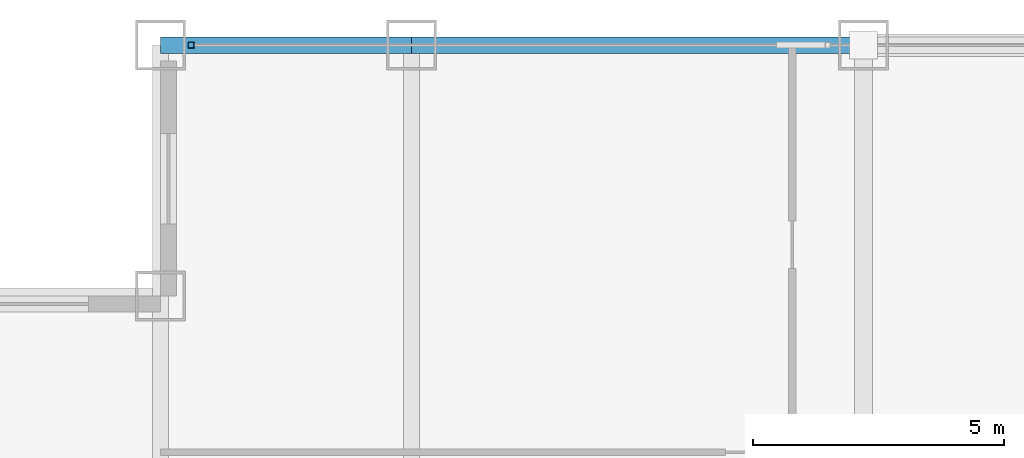
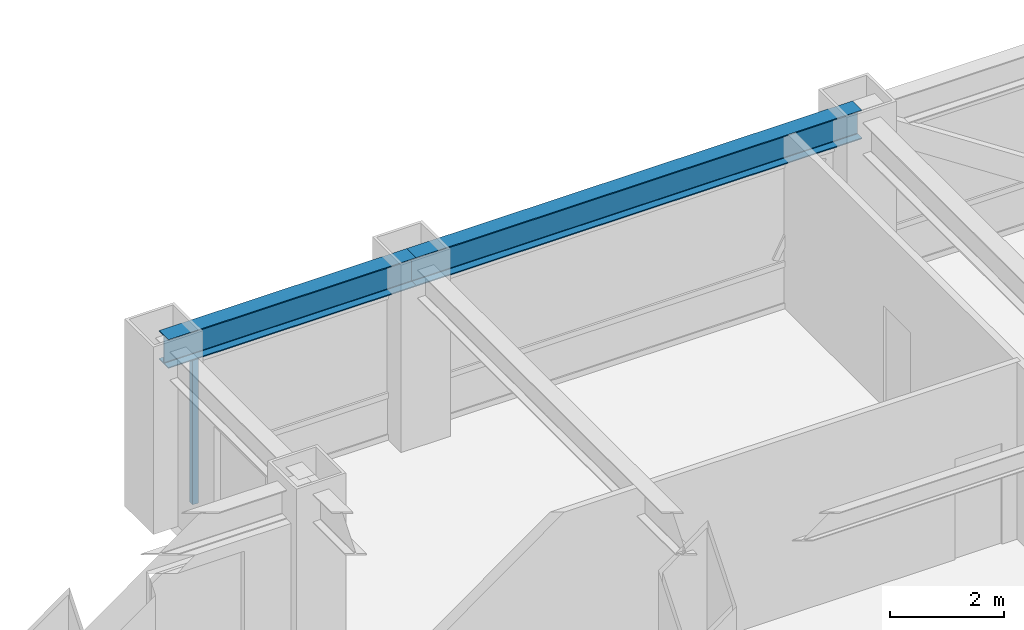
# One storey, part 14 of 25: 2 beams, 1 member, 1 element without a shape of its own.
"""IFC4 building model written with IfcOpenShell, lengths in metres."""

import ifcopenshell
import ifcopenshell.guid

model = None  # the IFC model being written
_history = None  # IfcOwnerHistory: only IFC2X3 demands one
_inside = {}  # id of a spatial element -> (the spatial element, [elements in it])
_under = {}  # id of a project, library or spatial element -> (it, [spatial elements below it])
_declared = {}  # id of a project -> (the project, [libraries it declares])
_typed = {}  # id of a type object -> (the type object, [elements of that type])
_made_of = {}  # id of a material, layer set ... -> (it, [elements and type objects made of it])


def new_model(schema):
    """Start an empty IFC model of exactly this schema.

    Asked for "IFC4X3", IfcOpenShell would pick the latest addendum, in which some entities
    have other attributes; the version numbers below select the first issue.
    IFC2X3 requires an IfcOwnerHistory on every rooted entity: one is made here for all.
    """
    global model, _history
    if schema == "IFC4X3":
        model = ifcopenshell.file(schema_version=(4, 3, 0, 0))
    else:
        model = ifcopenshell.file(schema=schema)
    _inside.clear()
    _under.clear()
    _declared.clear()
    _typed.clear()
    _made_of.clear()
    _history = None
    if model.schema == "IFC2X3":
        org = make("IfcOrganization", Name="unknown")
        user = make(
            "IfcPersonAndOrganization",
            ThePerson=make("IfcPerson", FamilyName="unknown"),
            TheOrganization=org,
        )
        app = make(
            "IfcApplication",
            ApplicationDeveloper=org,
            Version="unknown",
            ApplicationFullName="unknown",
            ApplicationIdentifier="unknown",
        )
        _history = make(
            "IfcOwnerHistory",
            OwningUser=user,
            OwningApplication=app,
            ChangeAction="ADDED",
            CreationDate=0,
        )
    return model


def make(cls, **values):
    """One entity of the class cls with the attributes given. An attribute that is None is left unset."""
    return model.create_entity(
        cls, **{name: value for name, value in values.items() if value is not None}
    )


def rooted(cls, **values):
    """An entity with a GlobalId (a new one), such as an element, a storey or a relation."""
    return make(cls, GlobalId=ifcopenshell.guid.new(), OwnerHistory=_history, **values)


def si_unit(unit_type, name, prefix=None):
    """IfcSIUnit, for example si_unit("LENGTHUNIT", "METRE", prefix="MILLI")."""
    return make("IfcSIUnit", UnitType=unit_type, Prefix=prefix, Name=name)


def assignment(units):
    """IfcUnitAssignment: the units of a project."""
    return None if units is None else make("IfcUnitAssignment", Units=units)


def point(xyz):
    """IfcCartesianPoint."""
    return None if xyz is None else make("IfcCartesianPoint", Coordinates=xyz)


def direction(xyz):
    """IfcDirection."""
    return None if xyz is None else make("IfcDirection", DirectionRatios=xyz)


def frame(location, z_axis=None, x_axis=None):
    """IfcAxis2Placement3D, a coordinate frame: its origin and axes. An axis left out is left unset."""
    return make(
        "IfcAxis2Placement3D",
        Location=point(location),
        Axis=direction(z_axis),
        RefDirection=direction(x_axis),
    )


def frame_2d(location, x_axis=None):
    """IfcAxis2Placement2D, a coordinate frame in the plane: its origin and x axis."""
    return make(
        "IfcAxis2Placement2D", Location=point(location), RefDirection=direction(x_axis)
    )


def origin():
    """The frame at (0, 0, 0) with its axes left unset."""
    return frame((0.0, 0.0, 0.0))


def origin_2d():
    """The frame at (0, 0) in the plane with its x axis left unset."""
    return frame_2d((0.0, 0.0))


def place(relative_to, where):
    """IfcLocalPlacement: puts the frame where relative to a parent placement (None: the world)."""
    return make(
        "IfcLocalPlacement", PlacementRelTo=relative_to, RelativePlacement=where
    )


def context(
    kind, dimensions, precision=None, world=None, true_north=None, identifier=None
):
    """IfcGeometricRepresentationContext, for example the 3D "Model" context."""
    return make(
        "IfcGeometricRepresentationContext",
        ContextIdentifier=identifier,
        ContextType=kind,
        CoordinateSpaceDimension=dimensions,
        Precision=precision,
        WorldCoordinateSystem=world,
        TrueNorth=true_north,
    )


def subcontext(parent, identifier, kind, view, scale=None):
    """IfcGeometricRepresentationSubContext, for example "Body" below "Model"."""
    return make(
        "IfcGeometricRepresentationSubContext",
        ContextIdentifier=identifier,
        ContextType=kind,
        ParentContext=parent,
        TargetScale=scale,
        TargetView=view,
    )


def project(units=None, contexts=None):
    """IfcProject with its units and contexts."""
    return rooted(
        "IfcProject",
        Name="project",
        RepresentationContexts=contexts,
        UnitsInContext=assignment(units),
    )


def spatial(cls, under=None, at=None, **own):
    """A site, building, storey or space (cls), placed at a placement, below another one or the project."""
    s = rooted(cls, ObjectPlacement=at, **own)
    if under is not None:
        _under.setdefault(under.id(), (under, []))[1].append(s)
    return s


def profile(cls, at=None, kind="AREA", **sizes):
    """A parametric profile (cls). Its sizes go by their IFC names, for example OverallWidth=200.0."""
    return make(cls, ProfileType=kind, Position=at, **sizes)


def hollow_rectangle(**sizes):
    """IfcRectangleHollowProfileDef."""
    return profile("IfcRectangleHollowProfileDef", **sizes)


def i_section(**sizes):
    """IfcIShapeProfileDef."""
    return profile("IfcIShapeProfileDef", **sizes)


def extrude(swept, where, along, depth):
    """IfcExtrudedAreaSolid: the profile swept, set in the frame where, extruded along a direction by depth."""
    return make(
        "IfcExtrudedAreaSolid",
        SweptArea=swept,
        Position=where,
        ExtrudedDirection=direction(along),
        Depth=depth,
    )


def shape(context_of_items, identifier, shape_type, items):
    """IfcShapeRepresentation: the items that make up one representation, for example the "Body"."""
    return make(
        "IfcShapeRepresentation",
        ContextOfItems=context_of_items,
        RepresentationIdentifier=identifier,
        RepresentationType=shape_type,
        Items=items,
    )


def source(mapping_origin, context_of_items, identifier, shape_type, items):
    """IfcRepresentationMap: a shape defined once, which mapped items show again and again."""
    return make(
        "IfcRepresentationMap",
        MappingOrigin=mapping_origin,
        MappedRepresentation=shape(context_of_items, identifier, shape_type, items),
    )


def transform(
    local_origin,
    x_axis=None,
    y_axis=None,
    z_axis=None,
    scale=None,
    scale2=None,
    scale3=None,
    uniform=True,
):
    """IfcCartesianTransformationOperator3D, or its non-uniform kind. x_axis, y_axis, z_axis: its Axis1, 2, 3."""
    if uniform:
        return make(
            "IfcCartesianTransformationOperator3D",
            Axis1=direction(x_axis),
            Axis2=direction(y_axis),
            LocalOrigin=point(local_origin),
            Scale=scale,
            Axis3=direction(z_axis),
        )
    return make(
        "IfcCartesianTransformationOperator3DnonUniform",
        Axis1=direction(x_axis),
        Axis2=direction(y_axis),
        LocalOrigin=point(local_origin),
        Scale=scale,
        Axis3=direction(z_axis),
        Scale2=scale2,
        Scale3=scale3,
    )


def mapped(mapping_source, mapping_target):
    """IfcMappedItem: shows the shape of a source again, moved by a transform."""
    return make(
        "IfcMappedItem", MappingSource=mapping_source, MappingTarget=mapping_target
    )


def material(Name=None, Category=None):
    """IfcMaterial."""
    return make("IfcMaterial", Name=Name, Category=Category)


def material_profile(
    of_material, cross_section, Name=None, Category=None, Priority=None
):
    """IfcMaterialProfile: a cross section and its material."""
    return make(
        "IfcMaterialProfile",
        Name=Name,
        Material=of_material,
        Profile=cross_section,
        Priority=Priority,
        Category=Category,
    )


def profile_set(profiles, Name=None, composite=None):
    """IfcMaterialProfileSet."""
    return make(
        "IfcMaterialProfileSet",
        Name=Name,
        MaterialProfiles=profiles,
        CompositeProfile=composite,
    )


def made_of(thing, what):
    """Note that an element or type object is made of a material, layer set ...; save() writes the relation."""
    if what is not None:
        _made_of.setdefault(what.id(), (what, []))[1].append(thing)
    return thing


def type_object(cls, material=None, **own):
    """A type object (cls), such as IfcWallType, which elements share."""
    return made_of(rooted(cls, **own), material)


def element(
    cls,
    number,
    at=None,
    inside=None,
    cuts=None,
    type_object=None,
    material=None,
    context=None,
    identifier="Body",
    shape_type=None,
    held_by="IfcProductDefinitionShape",
    body=None,
    shapes=None,
    **own,
):
    """One element of the class cls, such as IfcWall. Its Tag is "e" and its number.

    at: its placement. inside: the storey or other place that contains it. cuts: it is an
    opening in that element (IfcRelVoidsElement). A single representation is given by context,
    identifier, shape_type and body (its items); several are given by shapes. held_by: the class
    of the entity that holds the representations. save() writes the other relations.
    """
    e = rooted(cls, Tag="e%d" % number, ObjectPlacement=at, **own)
    if body is not None:
        shapes = [shape(context, identifier, shape_type, body)]
    if shapes is not None:
        e.Representation = make(held_by, Representations=shapes)
    if inside is not None:
        _inside.setdefault(inside.id(), (inside, []))[1].append(e)
    if cuts is not None:
        rooted(
            "IfcRelVoidsElement", RelatingBuildingElement=cuts, RelatedOpeningElement=e
        )
    if type_object is not None:
        _typed.setdefault(type_object.id(), (type_object, []))[1].append(e)
    return made_of(e, material)


def aggregate(whole, parts):
    """IfcRelAggregates: a whole, such as a stair, and the parts it consists of."""
    return rooted("IfcRelAggregates", RelatingObject=whole, RelatedObjects=parts)


def save(model, path):
    """Write the relations noted so far, then the file.

    IfcRelAggregates (storeys below a building ...), IfcRelContainedInSpatialStructure (elements
    in a storey), IfcRelDefinesByType, IfcRelAssociatesMaterial and IfcRelDeclares: one each for
    every whole, place, type object, material and project.
    """
    for whole, parts in _under.values():
        aggregate(whole, parts)
    for where, things in _inside.values():
        rooted(
            "IfcRelContainedInSpatialStructure",
            RelatedElements=things,
            RelatingStructure=where,
        )
    for kind, things in _typed.values():
        rooted("IfcRelDefinesByType", RelatedObjects=things, RelatingType=kind)
    for what, things in _made_of.values():
        rooted("IfcRelAssociatesMaterial", RelatedObjects=things, RelatingMaterial=what)
    for by, libraries in _declared.values():
        rooted("IfcRelDeclares", RelatingContext=by, RelatedDefinitions=libraries)
    model.write(path)


model = new_model("IFC4")

# Units and contexts
model_context = context("Model", 3, precision=1e-05, world=origin(), true_north=direction((0.0, 1.0)))
body_context = subcontext(model_context, "Body", "Model", "MODEL_VIEW")
ifc_project = project(units=[si_unit("LENGTHUNIT", "METRE"), si_unit("AREAUNIT", "SQUARE_METRE"), si_unit("VOLUMEUNIT", "CUBIC_METRE"), si_unit("PLANEANGLEUNIT", "RADIAN"), si_unit("MASSUNIT", "GRAM", prefix="KILO")], contexts=[model_context])

# Site, building, storey
site_placement = place(None, origin())
site = spatial("IfcSite", under=ifc_project, at=site_placement, CompositionType="ELEMENT")
building_placement = place(site_placement, origin())
building = spatial("IfcBuilding", under=site, at=building_placement, Name="Khorayat Bourse Tower", CompositionType="ELEMENT")
storey_placement = place(building_placement, frame((0.0, 0.0, 227.10009765625)))
storey = spatial("IfcBuildingStorey", under=building, at=storey_placement, Name="L53", CompositionType="ELEMENT", Elevation=227.10009765625)

# Beams
ifc_material_1 = material(Name="Steel ASTM A992 Grade 50", Category="steel")
ifc_material_profile_1 = material_profile(ifc_material_1, i_section(OverallWidth=0.324951171875, OverallDepth=0.615966796875, WebThickness=0.013916015625, FlangeThickness=0.021484375, FilletRadius=0.01611328125, at=origin_2d()), Name="W610X174")
ifc_profile_set_1 = profile_set([ifc_material_profile_1], Name="Steel ASTM A992 Grade 50")
beam_type = type_object("IfcBeamType", Name="BM-SPAN-610", PredefinedType="SPANDREL", material=ifc_profile_set_1)
shared_shape_1 = source(origin(), body_context, "Body", "SweptSolid", [
    extrude(i_section(OverallWidth=0.324951171875, OverallDepth=0.615966796875, WebThickness=0.013916015625, FlangeThickness=0.021484375, FilletRadius=0.01611328125, at=origin_2d()), origin(), (0.0, 0.0, 1.0), 9.0),
])
beam_1_placement = place(storey_placement, frame((-20.0, 30.0, 3.471923828125), z_axis=(1.0, 0.0, 0.0), x_axis=(0.0, 1.0, 0.0)))
element("IfcBeam", 1, at=beam_1_placement, inside=storey, type_object=beam_type, Name="L53 BM-SPAN-610 BM-L53-SPN-050", PredefinedType="SPANDREL", context=body_context, shape_type="MappedRepresentation", body=[
    mapped(shared_shape_1, transform((0.0, 0.0, 0.0), scale=1.0)),
])
shared_shape_2 = source(origin(), body_context, "Body", "SweptSolid", [
    extrude(i_section(OverallWidth=0.324951171875, OverallDepth=0.615966796875, WebThickness=0.013916015625, FlangeThickness=0.021484375, FilletRadius=0.01611328125, at=origin_2d()), origin(), (0.0, 0.0, 1.0), 5.0),
])
beam_2_placement = place(storey_placement, frame((-25.0, 30.0, 3.471923828125), z_axis=(1.0, 0.0, 0.0), x_axis=(0.0, 1.0, 0.0)))
element("IfcBeam", 2, at=beam_2_placement, inside=storey, type_object=beam_type, Name="L53 BM-SPAN-610 BM-L53-SPN-051", PredefinedType="SPANDREL", context=body_context, shape_type="MappedRepresentation", body=[
    mapped(shared_shape_2, transform((0.0, 0.0, 0.0), scale=1.0)),
])

# Curtain wall, member
ifc_material_2 = material(Name="Aluminium EN AW-6063 T6", Category="aluminium")
curtain_wall_type = type_object("IfcCurtainWallType", Name="CW-SYS-03", PredefinedType="NOTDEFINED", material=ifc_material_2)
curtain_wall_placement = place(storey_placement, origin())
curtain_wall = element("IfcCurtainWall", 3, at=curtain_wall_placement, inside=storey, type_object=curtain_wall_type, Name="L53 Curtain Wall CW-L53-N1", PredefinedType="NOTDEFINED")
ifc_material_profile_2 = material_profile(ifc_material_2, hollow_rectangle(XDim=0.1201171875, YDim=0.1201171875, WallThickness=0.0048828125, at=origin_2d()), Name="ALU 120x120x5")
ifc_profile_set_2 = profile_set([ifc_material_profile_2], Name="Aluminium EN AW-6063 T6")
member_type = type_object("IfcMemberType", Name="CWM-VERT-120", PredefinedType="MULLION", material=ifc_profile_set_2)
shared_shape_3 = source(origin(), body_context, "Body", "SweptSolid", [
    extrude(hollow_rectangle(XDim=0.1201171875, YDim=0.1201171875, WallThickness=0.0048828125, at=origin_2d()), origin(), (0.0, 0.0, 1.0), 3.1298828125),
])
member_placement = place(storey_placement, frame((-24.389892578125, 30.0, 0.0), z_axis=(0.0, 0.0, 1.0), x_axis=(0.0, 1.0, 0.0)))
member = element("IfcMember", 4, at=member_placement, type_object=member_type, Name="CW-L53-N1 Vertical Mullion 1", PredefinedType="MULLION", context=body_context, shape_type="MappedRepresentation", body=[
    mapped(shared_shape_3, transform((0.0, 0.0, 0.0), scale=1.0)),
])
aggregate(curtain_wall, [member])

save(model, "model.ifc")
